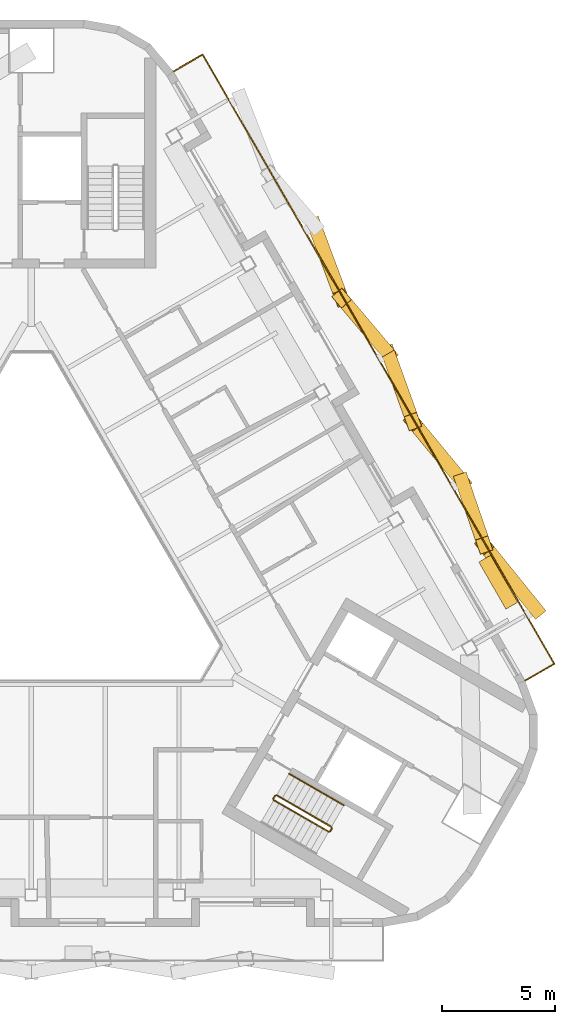
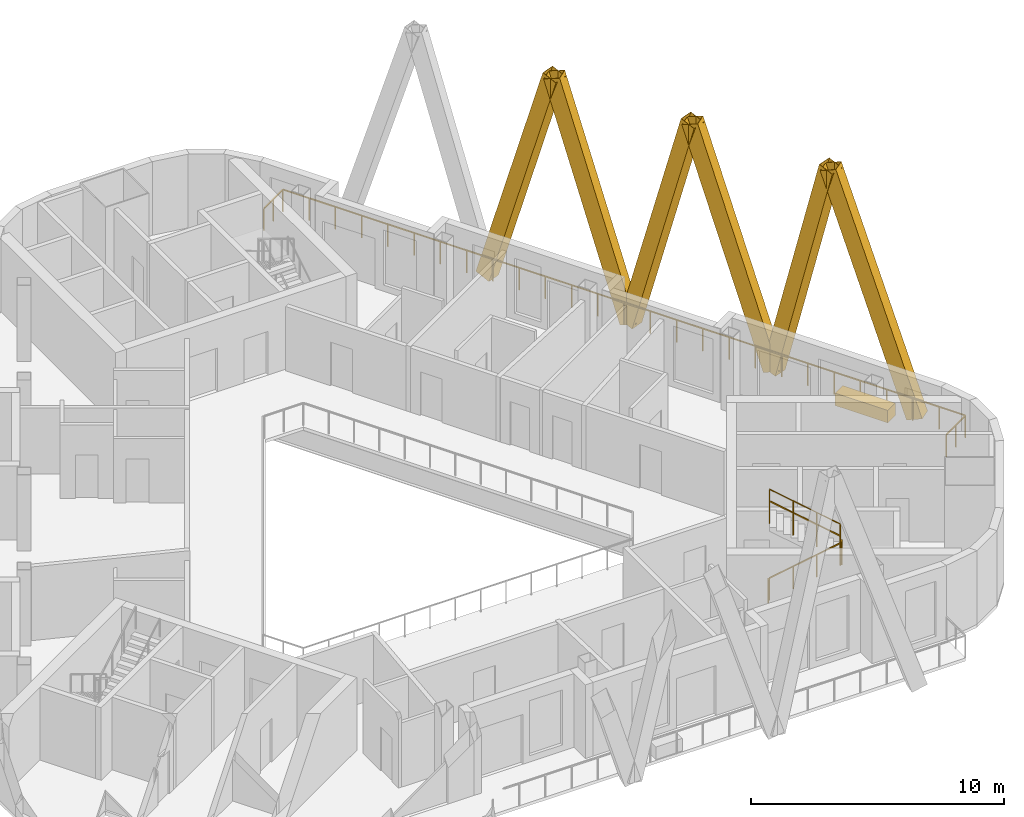
# One storey, part 10 of 11: 6 railings, 6 shading devices, 1 covering.
"""IFC4 building model written with IfcOpenShell, lengths in metres."""

from ifc_helpers import new_model, si_unit, direction, frame, origin, origin_2d, place, context, subcontext, project, spatial, rectangle, hollow_rectangle, circle, extrude, material, material_profile, profile_set, type_object, element, save


model = new_model("IFC4")

# Units and contexts
model_context = context("Model", 3, precision=1e-05, world=origin(), true_north=direction((0.0, 1.0)))
body_context = subcontext(model_context, "Body", "Model", "MODEL_VIEW")
ifc_project = project(units=[si_unit("LENGTHUNIT", "METRE"), si_unit("AREAUNIT", "SQUARE_METRE"), si_unit("VOLUMEUNIT", "CUBIC_METRE"), si_unit("PLANEANGLEUNIT", "RADIAN"), si_unit("MASSUNIT", "GRAM", prefix="KILO")], contexts=[model_context])

# Site, building, storey
site_placement = place(None, origin())
site = spatial("IfcSite", under=ifc_project, at=site_placement, CompositionType="ELEMENT")
building_placement = place(site_placement, origin())
building = spatial("IfcBuilding", under=site, at=building_placement, Name="Apuvela Tower Hotel", CompositionType="ELEMENT")
storey_placement = place(building_placement, frame((0.0, 0.0, 313.300048828125)))
storey = spatial("IfcBuildingStorey", under=building, at=storey_placement, Name="L78", CompositionType="ELEMENT", Elevation=313.300048828125)

# Railings
ifc_material_1 = material(Name="Steel S275 balustrade", Category="steel")
railing_type_1 = type_object("IfcRailingType", Name="COR-GUARD-1100", PredefinedType="GUARDRAIL", material=ifc_material_1)
railing_1_placement = place(storey_placement, frame((10.718994140625, -10.63427734375, 0.168212890625)))
element("IfcRailing", 1, at=railing_1_placement, inside=storey, type_object=railing_type_1, Name="L78 ST3 stair guard 1", PredefinedType="GUARDRAIL", context=body_context, shape_type="SweptSolid", body=[
    extrude(rectangle(XDim=0.048095703125, YDim=0.048095703125, at=origin_2d()), frame((0.0, 0.0, 1.076171875), z_axis=(0.74241905619, -0.428617687091, 0.514879426), x_axis=(0.49998411664, 0.866034573852, 0.0)), (0.0, 0.0, 1.0), 3.26611328125),
    extrude(rectangle(XDim=0.0419921875, YDim=0.0419921875, at=origin_2d()), origin(), (0.0, 0.0, 1.0), 1.052001953125),
    extrude(rectangle(XDim=0.0419921875, YDim=0.0419921875, at=origin_2d()), frame((0.808349609375, -0.466552734375, 0.560546875)), (0.0, 0.0, 1.0), 1.052001953125),
    extrude(rectangle(XDim=0.0419921875, YDim=0.0419921875, at=origin_2d()), frame((1.616455078125, -0.933349609375, 1.12109375)), (0.0, 0.0, 1.0), 1.052001953125),
    extrude(rectangle(XDim=0.0419921875, YDim=0.0419921875, at=origin_2d()), frame((2.4248046875, -1.39990234375, 1.681640625)), (0.0, 0.0, 1.0), 1.052001953125),
])
railing_2_placement = place(storey_placement, frame((13.212158203125, -12.015869140625, 1.849853515625)))
element("IfcRailing", 2, at=railing_2_placement, inside=storey, type_object=railing_type_1, Name="L78 ST3 stair guard 2", PredefinedType="GUARDRAIL", context=body_context, shape_type="SweptSolid", body=[
    extrude(rectangle(XDim=0.048095703125, YDim=0.048095703125, at=origin_2d()), frame((0.0, 0.0, 1.076171875), z_axis=(0.499816412211, 0.866131372301, 0.0), x_axis=(-0.866131372301, 0.499816412211, 0.0)), (0.0, 0.0, 1.0), 0.14990234375),
    extrude(rectangle(XDim=0.0419921875, YDim=0.0419921875, at=origin_2d()), origin(), (0.0, 0.0, 1.0), 1.052001953125),
    extrude(rectangle(XDim=0.0419921875, YDim=0.0419921875, at=origin_2d()), frame((0.074951171875, 0.1298828125, 0.0)), (0.0, 0.0, 1.0), 1.052001953125),
])
railing_3_placement = place(storey_placement, frame((13.268798828125, -11.817626953125, 2.01806640625)))
element("IfcRailing", 3, at=railing_3_placement, inside=storey, type_object=railing_type_1, Name="L78 ST3 stair guard 3", PredefinedType="GUARDRAIL", context=body_context, shape_type="SweptSolid", body=[
    extrude(rectangle(XDim=0.048095703125, YDim=0.048095703125, at=origin_2d()), frame((0.0, 0.0, 1.076171875), z_axis=(-0.742390482028, 0.42860119049, 0.514934356695), x_axis=(-0.49998411664, -0.866034573852, 0.0)), (0.0, 0.0, 1.0), 3.26611328125),
    extrude(rectangle(XDim=0.0419921875, YDim=0.0419921875, at=origin_2d()), origin(), (0.0, 0.0, 1.0), 1.052001953125),
    extrude(rectangle(XDim=0.0419921875, YDim=0.0419921875, at=origin_2d()), frame((-0.808349609375, 0.466552734375, 0.560546875)), (0.0, 0.0, 1.0), 1.052001953125),
    extrude(rectangle(XDim=0.0419921875, YDim=0.0419921875, at=origin_2d()), frame((-1.616455078125, 0.933349609375, 1.121337890625)), (0.0, 0.0, 1.0), 1.052001953125),
    extrude(rectangle(XDim=0.0419921875, YDim=0.0419921875, at=origin_2d()), frame((-2.4248046875, 1.39990234375, 1.681884765625)), (0.0, 0.0, 1.0), 1.052001953125),
])
railing_4_placement = place(storey_placement, frame((10.70068359375, -10.56591796875, 0.0)))
element("IfcRailing", 4, at=railing_4_placement, inside=storey, type_object=railing_type_1, Name="L78 ST3 stair guard 4", PredefinedType="GUARDRAIL", context=body_context, shape_type="SweptSolid", body=[
    extrude(rectangle(XDim=0.048095703125, YDim=0.048095703125, at=origin_2d()), frame((0.0, 0.0, 1.076171875), z_axis=(0.499816412211, 0.866131372301, 0.0), x_axis=(-0.866131372301, 0.499816412211, 0.0)), (0.0, 0.0, 1.0), 0.14990234375),
    extrude(rectangle(XDim=0.0419921875, YDim=0.0419921875, at=origin_2d()), origin(), (0.0, 0.0, 1.0), 1.052001953125),
    extrude(rectangle(XDim=0.0419921875, YDim=0.0419921875, at=origin_2d()), frame((0.074951171875, 0.1298828125, 0.0)), (0.0, 0.0, 1.0), 1.052001953125),
])
ifc_material_2 = material(Name="Stainless steel 316 handrail", Category="steel")
railing_type_2 = type_object("IfcRailingType", Name="COR-HANDRAIL-900", PredefinedType="HANDRAIL", material=ifc_material_2)
railing_5_placement = place(storey_placement, frame((13.81884765625, -10.864990234375, 2.01806640625)))
element("IfcRailing", 5, at=railing_5_placement, inside=storey, type_object=railing_type_2, Name="L78 ST3 stair handrail 2", PredefinedType="HANDRAIL", context=body_context, shape_type="SweptSolid", body=[
    extrude(circle(Radius=0.02392578125, at=origin_2d()), frame((0.0, 0.0, 0.8759765625), z_axis=(-0.742390482028, 0.42860119049, 0.514934356695), x_axis=(-0.49998411664, -0.866034573852, 0.0)), (0.0, 0.0, 1.0), 3.26611328125),
    extrude(rectangle(XDim=0.0419921875, YDim=0.0419921875, at=origin_2d()), origin(), (0.0, 0.0, 1.0), 0.851806640625),
    extrude(rectangle(XDim=0.0419921875, YDim=0.0419921875, at=origin_2d()), frame((-0.808349609375, 0.466552734375, 0.560546875)), (0.0, 0.0, 1.0), 0.851806640625),
    extrude(rectangle(XDim=0.0419921875, YDim=0.0419921875, at=origin_2d()), frame((-1.616455078125, 0.933349609375, 1.121337890625)), (0.0, 0.0, 1.0), 0.851806640625),
    extrude(rectangle(XDim=0.0419921875, YDim=0.0419921875, at=origin_2d()), frame((-2.4248046875, 1.39990234375, 1.681884765625)), (0.0, 0.0, 1.0), 0.851806640625),
])

# Shading devices
ifc_material_3 = material(Name="Aluminium 6063-T6, black anodised", Category="aluminium")
ifc_material_profile = material_profile(ifc_material_3, hollow_rectangle(XDim=0.60009765625, YDim=0.699951171875, WallThickness=0.011962890625, at=origin_2d()), Name="AL BOX 700x600x12")
ifc_profile_set = profile_set([ifc_material_profile], Name="Aluminium 6063-T6, black anodised")
shading_device_type = type_object("IfcShadingDeviceType", Name="ENV-FIN-700x600", PredefinedType="USERDEFINED", material=ifc_profile_set)
shading_device_1_placement = place(storey_placement, frame((22.316162109375, -2.19775390625, -0.10009765625), z_axis=(-0.196391864595, 0.243108057067, 0.949909842095), x_axis=(-0.777885876447, -0.628405572242, 0.0)))
element("IfcShadingDevice", 6, at=shading_device_1_placement, inside=storey, type_object=shading_device_type, Name="Lattice fin NE673", ObjectType="FIN", PredefinedType="USERDEFINED", context=body_context, shape_type="SweptSolid", body=[
    extrude(hollow_rectangle(XDim=0.60009765625, YDim=0.699951171875, WallThickness=0.011962890625, at=origin_2d()), origin(), (0.0, 0.0, 1.0), 11.685302734375),
])
shading_device_2_placement = place(storey_placement, frame((19.05078125, 3.4580078125, -0.10009765625), z_axis=(0.08444271407, -0.244936979429, 0.965854701365), x_axis=(0.945394763347, 0.32592750948, 0.0)))
element("IfcShadingDevice", 7, at=shading_device_2_placement, inside=storey, type_object=shading_device_type, Name="Lattice fin NE674", ObjectType="FIN", PredefinedType="USERDEFINED", context=body_context, shape_type="SweptSolid", body=[
    extrude(hollow_rectangle(XDim=0.60009765625, YDim=0.699951171875, WallThickness=0.011962890625, at=origin_2d()), origin(), (0.0, 0.0, 1.0), 11.492431640625),
])
shading_device_3_placement = place(storey_placement, frame((19.05078125, 3.4580078125, -0.10009765625), z_axis=(-0.187733553144, 0.227537353621, 0.955501368775), x_axis=(-0.771347922945, -0.636413687602, 0.0)))
element("IfcShadingDevice", 8, at=shading_device_3_placement, inside=storey, type_object=shading_device_type, Name="Lattice fin NE675", ObjectType="FIN", PredefinedType="USERDEFINED", context=body_context, shape_type="SweptSolid", body=[
    extrude(hollow_rectangle(XDim=0.60009765625, YDim=0.699951171875, WallThickness=0.011962890625, at=origin_2d()), origin(), (0.0, 0.0, 1.0), 11.616943359375),
])
shading_device_4_placement = place(storey_placement, frame((15.785400390625, 9.11376953125, -0.10009765625), z_axis=(0.093872413584, -0.260759052501, 0.960829166141), x_axis=(0.940888383931, 0.338716768087, 0.0)))
element("IfcShadingDevice", 9, at=shading_device_4_placement, inside=storey, type_object=shading_device_type, Name="Lattice fin NE676", ObjectType="FIN", PredefinedType="USERDEFINED", context=body_context, shape_type="SweptSolid", body=[
    extrude(hollow_rectangle(XDim=0.60009765625, YDim=0.699951171875, WallThickness=0.011962890625, at=origin_2d()), origin(), (0.0, 0.0, 1.0), 11.552734375),
])
shading_device_5_placement = place(storey_placement, frame((15.785400390625, 9.11376953125, -0.10009765625), z_axis=(-0.178890367144, 0.211667562589, 0.96083041141), x_axis=(-0.763765060006, -0.645494332364, 0.0)))
element("IfcShadingDevice", 10, at=shading_device_5_placement, inside=storey, type_object=shading_device_type, Name="Lattice fin NE677", ObjectType="FIN", PredefinedType="USERDEFINED", context=body_context, shape_type="SweptSolid", body=[
    extrude(hollow_rectangle(XDim=0.60009765625, YDim=0.699951171875, WallThickness=0.011962890625, at=origin_2d()), origin(), (0.0, 0.0, 1.0), 11.552490234375),
])
shading_device_6_placement = place(storey_placement, frame((12.52001953125, 14.76953125, -0.10009765625), z_axis=(0.103187068225, -0.276356404717, 0.955499642346), x_axis=(0.936825951602, 0.34979584961, 0.0)))
element("IfcShadingDevice", 11, at=shading_device_6_placement, inside=storey, type_object=shading_device_type, Name="Lattice fin NE678", ObjectType="FIN", PredefinedType="USERDEFINED", context=body_context, shape_type="SweptSolid", body=[
    extrude(hollow_rectangle(XDim=0.60009765625, YDim=0.699951171875, WallThickness=0.011962890625, at=origin_2d()), origin(), (0.0, 0.0, 1.0), 11.616943359375),
])

# Railing
ifc_material_4 = material(Name="Stainless steel 316 rail with laminated glass infill", Category="steel")
railing_type_3 = type_object("IfcRailingType", Name="ENV-GUARD-1100", PredefinedType="GUARDRAIL", material=ifc_material_4)
railing_6_placement = place(storey_placement, frame((21.83056640625, -5.356689453125, 0.0)))
element("IfcRailing", 12, at=railing_6_placement, inside=storey, type_object=railing_type_3, Name="Balcony guard NE L78", PredefinedType="GUARDRAIL", context=body_context, shape_type="SweptSolid", body=[
    extrude(rectangle(XDim=0.050048828125, YDim=0.050048828125, at=origin_2d()), frame((0.0, 0.0, 1.0751953125), z_axis=(0.866031096941, 0.499990139034, 0.0), x_axis=(-0.499990139034, 0.866031096941, 0.0)), (0.0, 0.0, 1.0), 1.5),
    extrude(rectangle(XDim=0.050048828125, YDim=0.050048828125, at=origin_2d()), frame((1.299072265625, 0.75, 1.0751953125), z_axis=(-0.500002341412, 0.866024051966, 0.0), x_axis=(-0.866024051966, -0.500002341412, 0.0)), (0.0, 0.0, 1.0), 31.108642578125),
    extrude(rectangle(XDim=0.050048828125, YDim=0.050048828125, at=origin_2d()), frame((-14.25537109375, 27.69091796875, 1.0751953125), z_axis=(-0.866031096941, -0.499990139034, 0.0), x_axis=(0.499990139034, -0.866031096941, 0.0)), (0.0, 0.0, 1.0), 1.5),
    extrude(rectangle(XDim=0.0400390625, YDim=0.0400390625, at=origin_2d()), origin(), (0.0, 0.0, 1.0), 1.050048828125),
    extrude(rectangle(XDim=0.0400390625, YDim=0.0400390625, at=origin_2d()), frame((0.6494140625, 0.375, 0.0)), (0.0, 0.0, 1.0), 1.050048828125),
    extrude(rectangle(XDim=0.0400390625, YDim=0.0400390625, at=origin_2d()), frame((1.299072265625, 0.75, 0.0)), (0.0, 0.0, 1.0), 1.050048828125),
    extrude(rectangle(XDim=0.0400390625, YDim=0.0400390625, at=origin_2d()), frame((0.700927734375, 1.7861328125, 0.0)), (0.0, 0.0, 1.0), 1.050048828125),
    extrude(rectangle(XDim=0.0400390625, YDim=0.0400390625, at=origin_2d()), frame((0.1025390625, 2.822265625, 0.0)), (0.0, 0.0, 1.0), 1.050048828125),
    extrude(rectangle(XDim=0.0400390625, YDim=0.0400390625, at=origin_2d()), frame((-0.49560546875, 3.858642578125, 0.0)), (0.0, 0.0, 1.0), 1.050048828125),
    extrude(rectangle(XDim=0.0400390625, YDim=0.0400390625, at=origin_2d()), frame((-1.093994140625, 4.894775390625, 0.0)), (0.0, 0.0, 1.0), 1.050048828125),
    extrude(rectangle(XDim=0.0400390625, YDim=0.0400390625, at=origin_2d()), frame((-1.692138671875, 5.930908203125, 0.0)), (0.0, 0.0, 1.0), 1.050048828125),
    extrude(rectangle(XDim=0.0400390625, YDim=0.0400390625, at=origin_2d()), frame((-2.29052734375, 6.967041015625, 0.0)), (0.0, 0.0, 1.0), 1.050048828125),
    extrude(rectangle(XDim=0.0400390625, YDim=0.0400390625, at=origin_2d()), frame((-2.888671875, 8.00341796875, 0.0)), (0.0, 0.0, 1.0), 1.050048828125),
    extrude(rectangle(XDim=0.0400390625, YDim=0.0400390625, at=origin_2d()), frame((-3.48681640625, 9.03955078125, 0.0)), (0.0, 0.0, 1.0), 1.050048828125),
    extrude(rectangle(XDim=0.0400390625, YDim=0.0400390625, at=origin_2d()), frame((-4.085205078125, 10.07568359375, 0.0)), (0.0, 0.0, 1.0), 1.050048828125),
    extrude(rectangle(XDim=0.0400390625, YDim=0.0400390625, at=origin_2d()), frame((-4.683349609375, 11.11181640625, 0.0)), (0.0, 0.0, 1.0), 1.050048828125),
    extrude(rectangle(XDim=0.0400390625, YDim=0.0400390625, at=origin_2d()), frame((-5.28173828125, 12.148193359375, 0.0)), (0.0, 0.0, 1.0), 1.050048828125),
    extrude(rectangle(XDim=0.0400390625, YDim=0.0400390625, at=origin_2d()), frame((-5.8798828125, 13.184326171875, 0.0)), (0.0, 0.0, 1.0), 1.050048828125),
    extrude(rectangle(XDim=0.0400390625, YDim=0.0400390625, at=origin_2d()), frame((-6.47802734375, 14.220458984375, 0.0)), (0.0, 0.0, 1.0), 1.050048828125),
    extrude(rectangle(XDim=0.0400390625, YDim=0.0400390625, at=origin_2d()), frame((-7.076416015625, 15.256591796875, 0.0)), (0.0, 0.0, 1.0), 1.050048828125),
    extrude(rectangle(XDim=0.0400390625, YDim=0.0400390625, at=origin_2d()), frame((-7.674560546875, 16.292724609375, 0.0)), (0.0, 0.0, 1.0), 1.050048828125),
    extrude(rectangle(XDim=0.0400390625, YDim=0.0400390625, at=origin_2d()), frame((-8.27294921875, 17.3291015625, 0.0)), (0.0, 0.0, 1.0), 1.050048828125),
    extrude(rectangle(XDim=0.0400390625, YDim=0.0400390625, at=origin_2d()), frame((-8.87109375, 18.365234375, 0.0)), (0.0, 0.0, 1.0), 1.050048828125),
    extrude(rectangle(XDim=0.0400390625, YDim=0.0400390625, at=origin_2d()), frame((-9.469482421875, 19.4013671875, 0.0)), (0.0, 0.0, 1.0), 1.050048828125),
    extrude(rectangle(XDim=0.0400390625, YDim=0.0400390625, at=origin_2d()), frame((-10.067626953125, 20.4375, 0.0)), (0.0, 0.0, 1.0), 1.050048828125),
    extrude(rectangle(XDim=0.0400390625, YDim=0.0400390625, at=origin_2d()), frame((-10.665771484375, 21.473876953125, 0.0)), (0.0, 0.0, 1.0), 1.050048828125),
    extrude(rectangle(XDim=0.0400390625, YDim=0.0400390625, at=origin_2d()), frame((-11.26416015625, 22.510009765625, 0.0)), (0.0, 0.0, 1.0), 1.050048828125),
    extrude(rectangle(XDim=0.0400390625, YDim=0.0400390625, at=origin_2d()), frame((-11.8623046875, 23.546142578125, 0.0)), (0.0, 0.0, 1.0), 1.050048828125),
    extrude(rectangle(XDim=0.0400390625, YDim=0.0400390625, at=origin_2d()), frame((-12.460693359375, 24.582275390625, 0.0)), (0.0, 0.0, 1.0), 1.050048828125),
    extrude(rectangle(XDim=0.0400390625, YDim=0.0400390625, at=origin_2d()), frame((-13.058837890625, 25.61865234375, 0.0)), (0.0, 0.0, 1.0), 1.050048828125),
    extrude(rectangle(XDim=0.0400390625, YDim=0.0400390625, at=origin_2d()), frame((-13.6572265625, 26.65478515625, 0.0)), (0.0, 0.0, 1.0), 1.050048828125),
    extrude(rectangle(XDim=0.0400390625, YDim=0.0400390625, at=origin_2d()), frame((-14.25537109375, 27.69091796875, 0.0)), (0.0, 0.0, 1.0), 1.050048828125),
    extrude(rectangle(XDim=0.0400390625, YDim=0.0400390625, at=origin_2d()), frame((-14.90478515625, 27.31591796875, 0.0)), (0.0, 0.0, 1.0), 1.050048828125),
    extrude(rectangle(XDim=0.0400390625, YDim=0.0400390625, at=origin_2d()), frame((-15.554443359375, 26.94091796875, 0.0)), (0.0, 0.0, 1.0), 1.050048828125),
])

# Covering
ifc_material_5 = material(Name="Planting substrate and soil, planted")
covering_type = type_object("IfcCoveringType", Name="ENV-PLANTER-2400x600", PredefinedType="USERDEFINED", material=ifc_material_5)
covering_placement = place(storey_placement, frame((20.642578125, -0.9990234375, 0.0), z_axis=(0.0, 0.0, 1.0), x_axis=(-0.5, 0.866025403784, 0.0)))
element("IfcCovering", 13, at=covering_placement, inside=storey, type_object=covering_type, Name="Planter NE3", ObjectType="PLANTER", PredefinedType="USERDEFINED", context=body_context, shape_type="SweptSolid", body=[
    extrude(rectangle(XDim=2.39990234375, YDim=0.60009765625, at=origin_2d()), origin(), (0.0, 0.0, 1.0), 0.60009765625),
])

save(model, "model.ifc")
